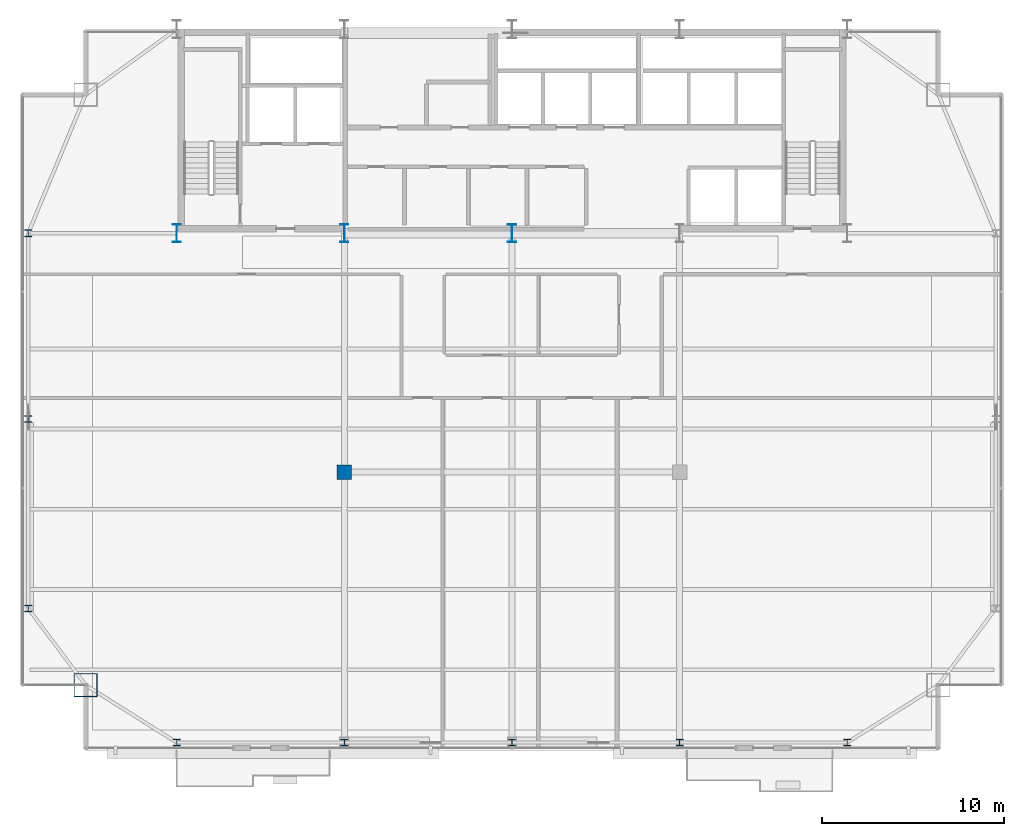
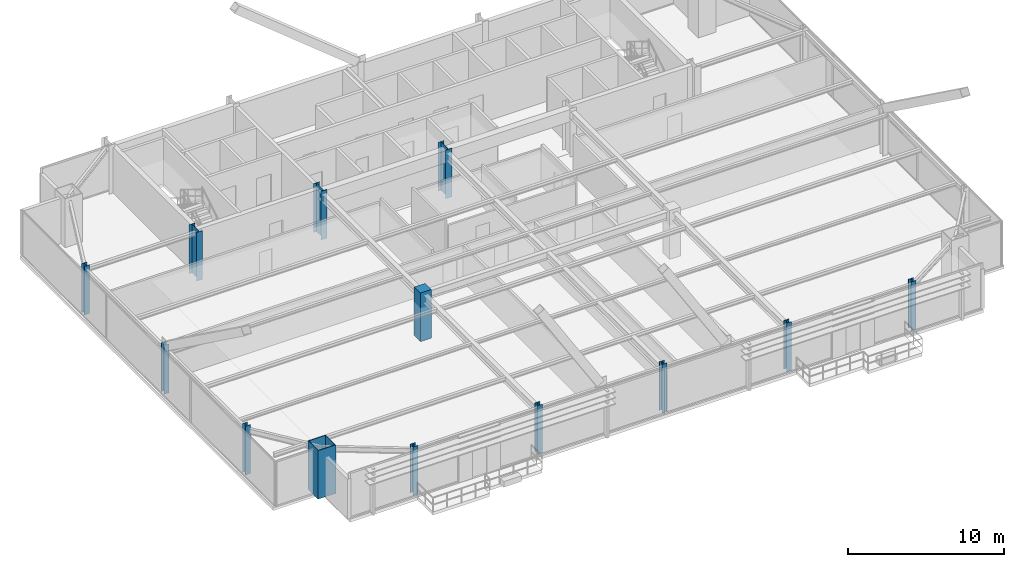
# One storey, part 1 of 32: 13 columns.
"""IFC4 building model written with IfcOpenShell, lengths in metres."""

from ifc_helpers import new_model, si_unit, direction, frame, origin, origin_2d, place, context, subcontext, project, spatial, rectangle, hollow_rectangle, i_section, extrude, source, transform, mapped, material, material_profile, profile_set, type_object, type_shapes, element, save


model = new_model("IFC4")

# Units and contexts
model_context = context("Model", 3, precision=1e-05, world=origin(), true_north=direction((0.0, 1.0)))
body_context = subcontext(model_context, "Body", "Model", "MODEL_VIEW")
ifc_project = project(units=[si_unit("LENGTHUNIT", "METRE"), si_unit("AREAUNIT", "SQUARE_METRE"), si_unit("VOLUMEUNIT", "CUBIC_METRE"), si_unit("PLANEANGLEUNIT", "RADIAN"), si_unit("MASSUNIT", "GRAM", prefix="KILO")], contexts=[model_context])

# Site, building, storey
site_placement = place(None, origin())
site = spatial("IfcSite", under=ifc_project, at=site_placement, CompositionType="ELEMENT")
building_placement = place(site_placement, origin())
building = spatial("IfcBuilding", under=site, at=building_placement, Name="Varnel Quay Broadcast Tower", CompositionType="ELEMENT")
storey_placement = place(building_placement, frame((0.0, 0.0, 164.800048828125)))
storey = spatial("IfcBuildingStorey", under=building, at=storey_placement, Name="L40", CompositionType="ELEMENT", Elevation=164.800048828125)

# Columns
ifc_material_1 = material(Name="Structural Steel CSA G40.21 350WT", Category="steel")
ifc_material_profile_1 = material_profile(ifc_material_1, i_section(OverallWidth=0.449951171875, OverallDepth=1.0, WebThickness=0.01611328125, FlangeThickness=0.030029296875, FilletRadius=0.01611328125, at=origin_2d()), Name="WWF1000X362")
ifc_profile_set_1 = profile_set([ifc_material_profile_1], Name="Structural Steel CSA G40.21 350WT")
column_type_1 = type_object("IfcColumnType", Name="Col_WWF1000X362", PredefinedType="COLUMN", material=ifc_profile_set_1)
shared_shape_1 = source(origin(), body_context, "Body", "SweptSolid", [
    extrude(i_section(OverallWidth=0.449951171875, OverallDepth=1.0, WebThickness=0.01611328125, FlangeThickness=0.030029296875, FilletRadius=0.01611328125, at=origin_2d()), origin(), (0.0, 0.0, 1.0), 3.800048828125),
])
type_shapes(column_type_1, [shared_shape_1])
for number, where, z_axis, x_axis, name in (
    (1, (15.60009765625, 35.60009765625, 0.0), (0.0, 0.0, 1.0), (1.0, 0.0, 0.0), "L40 Column CC-S1"),
    (2, (24.800048828125, 35.60009765625, 0.0), (0.0, 0.0, 1.0), (1.0, 0.0, 0.0), "L40 Column CC-S2"),
    (3, (34.0, 35.60009765625, 0.0), (0.0, 0.0, 1.0), (1.0, 0.0, 0.0), "L40 Column CC-S3"),
):
    element("IfcColumn", number, at=place(storey_placement, frame(where, z_axis=z_axis, x_axis=x_axis)), inside=storey, type_object=column_type_1, Name=name, PredefinedType="COLUMN", context=body_context, shape_type="MappedRepresentation", body=[
        mapped(shared_shape_1, transform((0.0, 0.0, 0.0), x_axis=(1.0, 0.0, 0.0), y_axis=(0.0, 1.0, 0.0), z_axis=(0.0, 0.0, 1.0), scale=1.0)),
    ])
ifc_material_profile_2 = material_profile(ifc_material_1, hollow_rectangle(XDim=1.300048828125, YDim=1.300048828125, WallThickness=0.050048828125, at=origin_2d()), Name="BOX1300X1300X50")
ifc_profile_set_2 = profile_set([ifc_material_profile_2], Name="Structural Steel CSA G40.21 350WT")
column_type_2 = type_object("IfcColumnType", Name="Col_BOX1300X1300X50", PredefinedType="COLUMN", material=ifc_profile_set_2)
shared_shape_2 = source(origin(), body_context, "Body", "SweptSolid", [
    extrude(hollow_rectangle(XDim=1.300048828125, YDim=1.300048828125, WallThickness=0.050048828125, at=origin_2d()), origin(), (0.0, 0.0, 1.0), 3.800048828125),
])
type_shapes(column_type_2, [shared_shape_2])
column_1_placement = place(storey_placement, frame((10.60009765625, 10.800048828125, 0.0), z_axis=(0.0, 0.0, 1.0), x_axis=(1.0, 0.0, 0.0)))
element("IfcColumn", 4, at=column_1_placement, inside=storey, type_object=column_type_2, Name="L40 Column MC-SW", PredefinedType="COLUMN", context=body_context, shape_type="MappedRepresentation", body=[
    mapped(shared_shape_2, transform((0.0, 0.0, 0.0), x_axis=(1.0, 0.0, 0.0), y_axis=(0.0, 1.0, 0.0), z_axis=(0.0, 0.0, 1.0), scale=1.0)),
])
ifc_material_2 = material(Name="Structural Steel CSA G40.21 350W", Category="steel")
ifc_material_profile_3 = material_profile(ifc_material_2, i_section(OverallWidth=0.3740234375, OverallDepth=0.3720703125, WebThickness=0.016357421875, FlangeThickness=0.026123046875, FilletRadius=0.01611328125, at=origin_2d()), Name="W360X196")
ifc_profile_set_3 = profile_set([ifc_material_profile_3], Name="Structural Steel CSA G40.21 350W")
column_type_3 = type_object("IfcColumnType", Name="Col_W360X196", PredefinedType="COLUMN", material=ifc_profile_set_3)
shared_shape_3 = source(origin(), body_context, "Body", "SweptSolid", [
    extrude(i_section(OverallWidth=0.3740234375, OverallDepth=0.3720703125, WebThickness=0.016357421875, FlangeThickness=0.026123046875, FilletRadius=0.01611328125, at=origin_2d()), origin(), (0.0, 0.0, 1.0), 3.800048828125),
])
type_shapes(column_type_3, [shared_shape_3])
for number, where, z_axis, x_axis, name in (
    (5, (15.60009765625, 7.64990234375, 0.0), (0.0, 0.0, 1.0), (1.0, 0.0, 0.0), "L40 Column TC-S1"),
    (6, (24.800048828125, 7.64990234375, 0.0), (0.0, 0.0, 1.0), (1.0, 0.0, 0.0), "L40 Column TC-S2"),
    (7, (34.0, 7.64990234375, 0.0), (0.0, 0.0, 1.0), (1.0, 0.0, 0.0), "L40 Column TC-S3"),
    (8, (43.199951171875, 7.64990234375, 0.0), (0.0, 0.0, 1.0), (1.0, 0.0, 0.0), "L40 Column TC-S4"),
    (9, (52.39990234375, 7.64990234375, 0.0), (0.0, 0.0, 1.0), (1.0, 0.0, 0.0), "L40 Column TC-S5"),
    (10, (7.449951171875, 15.0, 0.0), (0.0, 0.0, 1.0), (1.0, 0.0, 0.0), "L40 Column TC-W1"),
    (11, (7.449951171875, 25.39990234375, 0.0), (0.0, 0.0, 1.0), (1.0, 0.0, 0.0), "L40 Column TC-W2"),
    (12, (7.449951171875, 35.60009765625, 0.0), (0.0, 0.0, 1.0), (1.0, 0.0, 0.0), "L40 Column TC-W3"),
):
    element("IfcColumn", number, at=place(storey_placement, frame(where, z_axis=z_axis, x_axis=x_axis)), inside=storey, type_object=column_type_3, Name=name, PredefinedType="COLUMN", context=body_context, shape_type="MappedRepresentation", body=[
        mapped(shared_shape_3, transform((0.0, 0.0, 0.0), x_axis=(1.0, 0.0, 0.0), y_axis=(0.0, 1.0, 0.0), z_axis=(0.0, 0.0, 1.0), scale=1.0)),
    ])
ifc_material_3 = material(Name="Concrete CSA A23.3 C50/60", Category="concrete")
ifc_material_profile_4 = material_profile(ifc_material_3, rectangle(XDim=0.800048828125, YDim=0.800048828125, at=origin_2d()), Name="RC800X800")
ifc_profile_set_4 = profile_set([ifc_material_profile_4], Name="Concrete CSA A23.3 C50/60")
column_type_4 = type_object("IfcColumnType", Name="Col_RC800X800", PredefinedType="COLUMN", material=ifc_profile_set_4)
shared_shape_4 = source(origin(), body_context, "Body", "SweptSolid", [
    extrude(rectangle(XDim=0.800048828125, YDim=0.800048828125, at=origin_2d()), origin(), (0.0, 0.0, 1.0), 3.800048828125),
])
type_shapes(column_type_4, [shared_shape_4])
column_2_placement = place(storey_placement, frame((24.800048828125, 22.489990234375, 0.0), z_axis=(0.0, 0.0, 1.0), x_axis=(1.0, 0.0, 0.0)))
element("IfcColumn", 13, at=column_2_placement, inside=storey, type_object=column_type_4, Name="L40 Column IC-01", PredefinedType="COLUMN", context=body_context, shape_type="MappedRepresentation", body=[
    mapped(shared_shape_4, transform((0.0, 0.0, 0.0), x_axis=(1.0, 0.0, 0.0), y_axis=(0.0, 1.0, 0.0), z_axis=(0.0, 0.0, 1.0), scale=1.0)),
])

save(model, "model.ifc")
